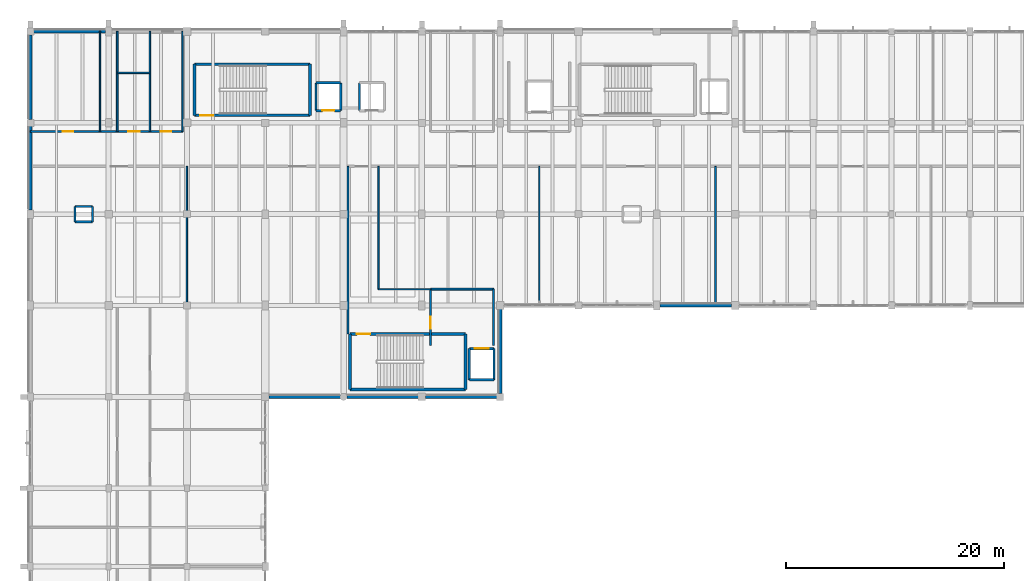
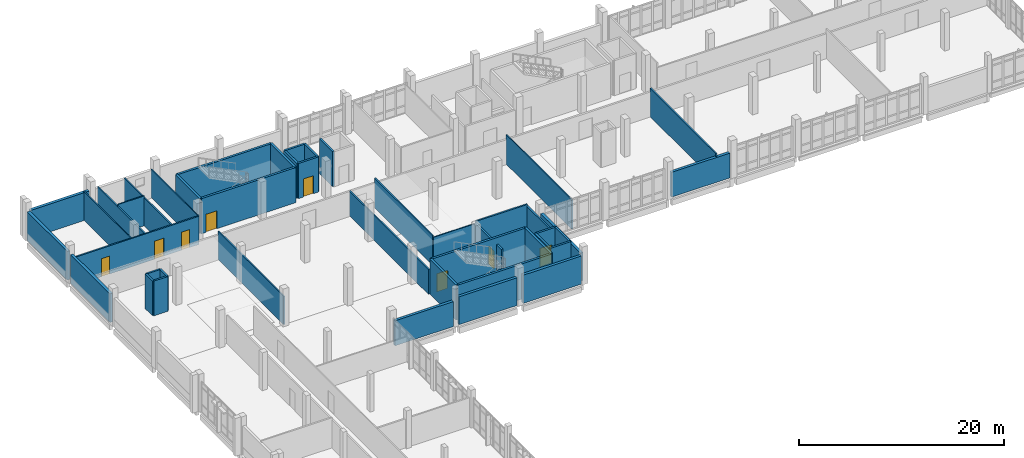
# One storey, part 48 of 57: 44 walls, 8 doors, 8 openings.
"""IFC4 building model written with IfcOpenShell, lengths in metres."""

from ifc_helpers import new_model, si_unit, direction, frame, frame_2d, origin, place, context, subcontext, project, spatial, rectangle, extrude, material, layer, layer_set, type_object, element, fill, save


model = new_model("IFC4")

# Units and contexts
model_context = context("Model", 3, precision=1e-05, world=origin(), true_north=direction((0.0, 1.0)))
body_context = subcontext(model_context, "Body", "Model", "MODEL_VIEW")
ifc_project = project(units=[si_unit("LENGTHUNIT", "METRE"), si_unit("AREAUNIT", "SQUARE_METRE"), si_unit("VOLUMEUNIT", "CUBIC_METRE"), si_unit("PLANEANGLEUNIT", "RADIAN"), si_unit("MASSUNIT", "GRAM", prefix="KILO")], contexts=[model_context])

# Site, building, storey
site_placement = place(None, origin())
site = spatial("IfcSite", under=ifc_project, at=site_placement, CompositionType="ELEMENT")
building_placement = place(site_placement, origin())
building = spatial("IfcBuilding", under=site, at=building_placement, Name="Kalluvel Institute of Natural Sciences", CompositionType="ELEMENT")
storey_placement = place(building_placement, frame((0.0, 0.0, 23.39990234375)))
storey = spatial("IfcBuildingStorey", under=building, at=storey_placement, Name="L05", CompositionType="ELEMENT", Elevation=23.39990234375)

# Wall, opening, door
ifc_material_1 = material(Name="Concrete M40", Category="concrete")
ifc_layer_1 = layer(ifc_material_1, 0.25)
ifc_layer_set_1 = layer_set([ifc_layer_1], Name="Concrete M40")
wall_type_1 = type_object("IfcWallType", Name="WL-CORE-250", PredefinedType="SHEAR", material=ifc_layer_set_1)
wall_1_placement = place(storey_placement, frame((29.0849609375, 120.284912109375, 0.0), z_axis=(0.0, 0.0, 1.0), x_axis=(1.0, 0.0, 0.0)))
wall_1 = element("IfcWall", 1, at=wall_1_placement, inside=storey, type_object=wall_type_1, Name="ST1 L05 core wall S", PredefinedType="SHEAR", context=body_context, shape_type="SweptSolid", body=[
    extrude(rectangle(XDim=10.630126953125, YDim=0.25, at=frame_2d((5.31494140625, 0.0))), origin(), (0.0, 0.0, 1.0), 4.175048828125),
])
opening_1_placement = place(wall_1_placement, frame((0.550048828125, 0.0, 0.0)))
opening_1 = element("IfcOpeningElement", 2, at=opening_1_placement, cuts=wall_1, Name="Opening DS-007", PredefinedType="OPENING", context=body_context, shape_type="SweptSolid", body=[
    extrude(rectangle(XDim=1.199951171875, YDim=2.14990234375, at=frame_2d((0.60009765625, 1.074951171875))), frame((0.0, 0.135009765625, 0.0), z_axis=(0.0, -1.0, 0.0), x_axis=(1.0, 0.0, 0.0)), (0.0, 0.0, 1.0), 0.27001953125),
])
ifc_material_2 = material(Name="Galvanized Fire-Rated Steel", Category="steel")
door_type_1 = type_object("IfcDoorType", Name="DR-ST-1200", OperationType="NOTDEFINED", PredefinedType="DOOR", material=ifc_material_2)
door_1_placement = place(opening_1_placement, origin())
door_1 = element("IfcDoor", 3, at=door_1_placement, inside=storey, type_object=door_type_1, Name="ST1 L05 protected stair door DS-007", OperationType="SINGLE_SWING_LEFT", OverallHeight=2.14990234375, OverallWidth=1.199951171875, PredefinedType="DOOR", context=body_context, shape_type="SweptSolid", body=[
    extrude(rectangle(XDim=1.199951171875, YDim=2.14990234375, at=frame_2d((0.60009765625, 1.074951171875))), frame((0.0, 0.02490234375, 0.0), z_axis=(0.0, -1.0, 0.0), x_axis=(1.0, 0.0, 0.0)), (0.0, 0.0, 1.0), 0.050048828125),
])
fill(opening_1, door_1)

# Walls
wall_2_placement = place(storey_placement, frame((39.715087890625, 120.284912109375, 0.0), z_axis=(0.0, 0.0, 1.0), x_axis=(0.0, 1.0, 0.0)))
element("IfcWall", 4, at=wall_2_placement, inside=storey, type_object=wall_type_1, Name="ST1 L05 core wall E", PredefinedType="SHEAR", context=body_context, shape_type="SweptSolid", body=[
    extrude(rectangle(XDim=4.7001953125, YDim=0.25, at=frame_2d((2.35009765625, 0.0))), origin(), (0.0, 0.0, 1.0), 4.175048828125),
])
wall_3_placement = place(storey_placement, frame((39.715087890625, 124.985107421875, 0.0), z_axis=(0.0, 0.0, 1.0), x_axis=(-1.0, 0.0, 0.0)))
element("IfcWall", 5, at=wall_3_placement, inside=storey, type_object=wall_type_1, Name="ST1 L05 core wall N", PredefinedType="SHEAR", context=body_context, shape_type="SweptSolid", body=[
    extrude(rectangle(XDim=10.630126953125, YDim=0.25, at=frame_2d((5.31494140625, 0.0))), origin(), (0.0, 0.0, 1.0), 4.175048828125),
])
wall_4_placement = place(storey_placement, frame((29.0849609375, 124.985107421875, 0.0), z_axis=(0.0, 0.0, 1.0), x_axis=(0.0, -1.0, 0.0)))
element("IfcWall", 6, at=wall_4_placement, inside=storey, type_object=wall_type_1, Name="ST1 L05 core wall W", PredefinedType="SHEAR", context=body_context, shape_type="SweptSolid", body=[
    extrude(rectangle(XDim=4.7001953125, YDim=0.25, at=frame_2d((2.35009765625, 0.0))), origin(), (0.0, 0.0, 1.0), 4.175048828125),
])
wall_5_placement = place(storey_placement, frame((43.385009765625, 95.0849609375, 0.0), z_axis=(0.0, 0.0, 1.0), x_axis=(1.0, 0.0, 0.0)))
element("IfcWall", 7, at=wall_5_placement, inside=storey, type_object=wall_type_1, Name="ST3 L05 core wall S", PredefinedType="SHEAR", context=body_context, shape_type="SweptSolid", body=[
    extrude(rectangle(XDim=10.6298828125, YDim=0.25, at=frame_2d((5.31494140625, 0.0))), origin(), (0.0, 0.0, 1.0), 4.175048828125),
])
wall_6_placement = place(storey_placement, frame((54.014892578125, 95.0849609375, 0.0), z_axis=(0.0, 0.0, 1.0), x_axis=(0.0, 1.0, 0.0)))
element("IfcWall", 8, at=wall_6_placement, inside=storey, type_object=wall_type_1, Name="ST3 L05 core wall E", PredefinedType="SHEAR", context=body_context, shape_type="SweptSolid", body=[
    extrude(rectangle(XDim=5.10009765625, YDim=0.25, at=frame_2d((2.550048828125, 0.0))), origin(), (0.0, 0.0, 1.0), 4.175048828125),
])

# Wall, opening, door
wall_7_placement = place(storey_placement, frame((54.014892578125, 100.18505859375, 0.0), z_axis=(0.0, 0.0, 1.0), x_axis=(-1.0, 0.0, 0.0)))
wall_7 = element("IfcWall", 9, at=wall_7_placement, inside=storey, type_object=wall_type_1, Name="ST3 L05 core wall N", PredefinedType="SHEAR", context=body_context, shape_type="SweptSolid", body=[
    extrude(rectangle(XDim=10.6298828125, YDim=0.25, at=frame_2d((5.31494140625, 0.0))), origin(), (0.0, 0.0, 1.0), 4.175048828125),
])
opening_2_placement = place(wall_7_placement, frame((8.780029296875, 0.0, 0.0)))
opening_2 = element("IfcOpeningElement", 10, at=opening_2_placement, cuts=wall_7, Name="Opening DS-029", PredefinedType="OPENING", context=body_context, shape_type="SweptSolid", body=[
    extrude(rectangle(XDim=1.199951171875, YDim=2.14990234375, at=frame_2d((0.60009765625, 1.074951171875))), frame((0.0, 0.135009765625, 0.0), z_axis=(0.0, -1.0, 0.0), x_axis=(1.0, 0.0, 0.0)), (0.0, 0.0, 1.0), 0.27001953125),
])
door_2_placement = place(opening_2_placement, origin())
door_2 = element("IfcDoor", 11, at=door_2_placement, inside=storey, type_object=door_type_1, Name="ST3 L05 protected stair door DS-029", OperationType="SINGLE_SWING_LEFT", OverallHeight=2.14990234375, OverallWidth=1.199951171875, PredefinedType="DOOR", context=body_context, shape_type="SweptSolid", body=[
    extrude(rectangle(XDim=1.199951171875, YDim=2.14990234375, at=frame_2d((0.60009765625, 1.074951171875))), frame((0.0, 0.02490234375, 0.0), z_axis=(0.0, -1.0, 0.0), x_axis=(1.0, 0.0, 0.0)), (0.0, 0.0, 1.0), 0.050048828125),
])
fill(opening_2, door_2)

# Walls
wall_8_placement = place(storey_placement, frame((43.385009765625, 100.18505859375, 0.0), z_axis=(0.0, 0.0, 1.0), x_axis=(0.0, -1.0, 0.0)))
element("IfcWall", 12, at=wall_8_placement, inside=storey, type_object=wall_type_1, Name="ST3 L05 core wall W", PredefinedType="SHEAR", context=body_context, shape_type="SweptSolid", body=[
    extrude(rectangle(XDim=5.10009765625, YDim=0.25, at=frame_2d((2.550048828125, 0.0))), origin(), (0.0, 0.0, 1.0), 4.175048828125),
])
ifc_material_3 = material(Name="Sadarahalli Grey Granite Ashlar Concrete M40", Category="masonry")
ifc_layer_2 = layer(ifc_material_3, 0.300048828125)
ifc_layer_set_2 = layer_set([ifc_layer_2], Name="Sadarahalli Grey Granite Ashlar Concrete M40")
wall_type_2 = type_object("IfcWallType", Name="WL-EXT-300", PredefinedType="SOLIDWALL", material=ifc_layer_set_2)
wall_9_placement = place(storey_placement, frame((71.8798828125, 102.800048828125, 0.0), z_axis=(0.0, 0.0, 1.0), x_axis=(1.0, 0.0, 0.0)))
element("IfcWall", 13, at=wall_9_placement, inside=storey, type_object=wall_type_2, Name="L05 Sadarahalli granite exterior wall WL-EXT-L05-0069", PredefinedType="SOLIDWALL", context=body_context, shape_type="SweptSolid", body=[
    extrude(rectangle(XDim=6.590087890625, YDim=0.300048828125, at=frame_2d((3.294921875, 0.0))), origin(), (0.0, 0.0, 1.0), 2.955078125),
])
wall_10_placement = place(storey_placement, frame((35.929931640625, 94.39990234375, 0.0), z_axis=(0.0, 0.0, 1.0), x_axis=(1.0, 0.0, 0.0)))
element("IfcWall", 14, at=wall_10_placement, inside=storey, type_object=wall_type_2, Name="L05 Sadarahalli granite exterior wall WL-EXT-L05-0117", PredefinedType="SOLIDWALL", context=body_context, shape_type="SweptSolid", body=[
    extrude(rectangle(XDim=6.565185546875, YDim=0.300048828125, at=frame_2d((3.28271484375, 0.0))), origin(), (0.0, 0.0, 1.0), 2.97509765625),
])
wall_11_placement = place(storey_placement, frame((43.10498046875, 94.39990234375, 0.0), z_axis=(0.0, 0.0, 1.0), x_axis=(1.0, 0.0, 0.0)))
element("IfcWall", 15, at=wall_11_placement, inside=storey, type_object=wall_type_2, Name="L05 Sadarahalli granite exterior wall WL-EXT-L05-0118", PredefinedType="SOLIDWALL", context=body_context, shape_type="SweptSolid", body=[
    extrude(rectangle(XDim=6.56494140625, YDim=0.300048828125, at=frame_2d((3.282470703125, 0.0))), origin(), (0.0, 0.0, 1.0), 3.30517578125),
])
wall_12_placement = place(storey_placement, frame((50.330078125, 94.39990234375, 0.0), z_axis=(0.0, 0.0, 1.0), x_axis=(1.0, 0.0, 0.0)))
element("IfcWall", 16, at=wall_12_placement, inside=storey, type_object=wall_type_2, Name="L05 Sadarahalli granite exterior wall WL-EXT-L05-0119", PredefinedType="SOLIDWALL", context=body_context, shape_type="SweptSolid", body=[
    extrude(rectangle(XDim=6.56494140625, YDim=0.300048828125, at=frame_2d((3.282470703125, 0.0))), origin(), (0.0, 0.0, 1.0), 3.35498046875),
])
wall_13_placement = place(storey_placement, frame((57.199951171875, 94.705078125, 0.0), z_axis=(0.0, 0.0, 1.0), x_axis=(0.0, 1.0, 0.0)))
element("IfcWall", 17, at=wall_13_placement, inside=storey, type_object=wall_type_2, Name="L05 Sadarahalli granite exterior wall WL-EXT-L05-0120", PredefinedType="SOLIDWALL", context=body_context, shape_type="SweptSolid", body=[
    extrude(rectangle(XDim=7.764892578125, YDim=0.300048828125, at=frame_2d((3.88232421875, 0.0))), origin(), (0.0, 0.0, 1.0), 3.35498046875),
])
ifc_layer_3 = layer(ifc_material_3, 0.320068359375)
ifc_layer_set_3 = layer_set([ifc_layer_3], Name="Sadarahalli Grey Granite Ashlar Concrete M40")
wall_type_3 = type_object("IfcWallType", Name="WL-EXT-320", PredefinedType="SOLIDWALL", material=ifc_layer_set_3)
wall_14_placement = place(storey_placement, frame((14.304931640625, 128.0, 0.0), z_axis=(0.0, 0.0, 1.0), x_axis=(1.0, 0.0, 0.0)))
element("IfcWall", 18, at=wall_14_placement, inside=storey, type_object=wall_type_3, Name="L05 Sadarahalli granite exterior wall WL-EXT-L05-0062", PredefinedType="SOLIDWALL", context=body_context, shape_type="SweptSolid", body=[
    extrude(rectangle(XDim=6.614990234375, YDim=0.320068359375, at=frame_2d((3.3076171875, 0.0))), origin(), (0.0, 0.0, 1.0), 3.30517578125),
])
wall_15_placement = place(storey_placement, frame((14.0, 111.580078125, 0.0), z_axis=(0.0, 0.0, 1.0), x_axis=(0.0, 1.0, 0.0)))
element("IfcWall", 19, at=wall_15_placement, inside=storey, type_object=wall_type_3, Name="L05 Sadarahalli granite exterior wall WL-EXT-L05-0072", PredefinedType="SOLIDWALL", context=body_context, shape_type="SweptSolid", body=[
    extrude(rectangle(XDim=7.71484375, YDim=0.320068359375, at=frame_2d((3.857421875, 0.0))), origin(), (0.0, 0.0, 1.0), 3.405029296875),
])
wall_16_placement = place(storey_placement, frame((14.0, 119.905029296875, 0.0), z_axis=(0.0, 0.0, 1.0), x_axis=(0.0, 1.0, 0.0)))
element("IfcWall", 20, at=wall_16_placement, inside=storey, type_object=wall_type_3, Name="L05 Sadarahalli granite exterior wall WL-EXT-L05-0073", PredefinedType="SOLIDWALL", context=body_context, shape_type="SweptSolid", body=[
    extrude(rectangle(XDim=7.7900390625, YDim=0.320068359375, at=frame_2d((3.89501953125, 0.0))), origin(), (0.0, 0.0, 1.0), 3.405029296875),
])
ifc_material_4 = material(Name="Autoclaved Aerated Concrete Masonry Block", Category="masonry")
ifc_layer_4 = layer(ifc_material_4, 0.179931640625)
ifc_layer_set_4 = layer_set([ifc_layer_4], Name="Autoclaved Aerated Concrete Masonry Block")
wall_type_4 = type_object("IfcWallType", Name="WL-FIRE-180", PredefinedType="SOLIDWALL", material=ifc_layer_set_4)
wall_17_placement = place(storey_placement, frame((50.800048828125, 104.300048828125, 0.0), z_axis=(0.0, 0.0, 1.0), x_axis=(1.0, 0.0, 0.0)))
element("IfcWall", 21, at=wall_17_placement, inside=storey, type_object=wall_type_4, Name="L05 interior fire wall WL-INT-L05-0245", PredefinedType="SOLIDWALL", context=body_context, shape_type="SweptSolid", body=[
    extrude(rectangle(XDim=5.800048828125, YDim=0.179931640625, at=frame_2d((2.89990234375, 0.0))), origin(), (0.0, 0.0, 1.0), 3.56005859375),
])

# Wall, opening, door
ifc_layer_5 = layer(ifc_material_4, 0.199951171875)
ifc_layer_set_5 = layer_set([ifc_layer_5], Name="Autoclaved Aerated Concrete Masonry Block")
wall_type_5 = type_object("IfcWallType", Name="WL-FIRE-200", PredefinedType="SOLIDWALL", material=ifc_layer_set_5)
wall_18_placement = place(storey_placement, frame((50.800048828125, 99.10009765625, 0.0), z_axis=(0.0, 0.0, 1.0), x_axis=(0.0, 1.0, 0.0)))
wall_18 = element("IfcWall", 22, at=wall_18_placement, inside=storey, type_object=wall_type_5, Name="L05 interior fire wall WL-INT-L05-0243", PredefinedType="SOLIDWALL", context=body_context, shape_type="SweptSolid", body=[
    extrude(rectangle(XDim=5.199951171875, YDim=0.199951171875, at=frame_2d((2.60009765625, 0.0))), origin(), (0.0, 0.0, 1.0), 3.360107421875),
])
opening_3_placement = place(wall_18_placement, frame((1.550048828125, 0.0, 0.0)))
opening_3 = element("IfcOpeningElement", 23, at=opening_3_placement, cuts=wall_18, Name="Opening D-193", PredefinedType="OPENING", context=body_context, shape_type="SweptSolid", body=[
    extrude(rectangle(XDim=1.10009765625, YDim=2.14990234375, at=frame_2d((0.550048828125, 1.074951171875))), frame((0.0, 0.10986328125, 0.0), z_axis=(0.0, -1.0, 0.0), x_axis=(1.0, 0.0, 0.0)), (0.0, 0.0, 1.0), 0.219970703125),
])
door_type_2 = type_object("IfcDoorType", Name="DR-FD60-1100", OperationType="NOTDEFINED", PredefinedType="DOOR", material=ifc_material_2)
door_3_placement = place(opening_3_placement, origin())
door_3 = element("IfcDoor", 24, at=door_3_placement, inside=storey, type_object=door_type_2, Name="L05 ST3-FF2 link door D-193", OperationType="SINGLE_SWING_LEFT", OverallHeight=2.14990234375, OverallWidth=1.10009765625, PredefinedType="DOOR", context=body_context, shape_type="SweptSolid", body=[
    extrude(rectangle(XDim=1.10009765625, YDim=2.14990234375, at=frame_2d((0.550048828125, 1.074951171875))), frame((0.0, 0.02490234375, 0.0), z_axis=(0.0, -1.0, 0.0), x_axis=(1.0, 0.0, 0.0)), (0.0, 0.0, 1.0), 0.050048828125),
])
fill(opening_3, door_3)

# Walls
wall_19_placement = place(storey_placement, frame((56.60009765625, 99.10009765625, 0.0), z_axis=(0.0, 0.0, 1.0), x_axis=(0.0, 1.0, 0.0)))
element("IfcWall", 25, at=wall_19_placement, inside=storey, type_object=wall_type_5, Name="L05 interior fire wall WL-INT-L05-0244", PredefinedType="SOLIDWALL", context=body_context, shape_type="SweptSolid", body=[
    extrude(rectangle(XDim=5.199951171875, YDim=0.199951171875, at=frame_2d((2.60009765625, 0.0))), origin(), (0.0, 0.0, 1.0), 3.360107421875),
])
ifc_material_5 = material(Name="Acoustic Gypsum Twin-Stud Partition", Category="gypsum")
ifc_layer_6 = layer(ifc_material_5, 0.1201171875)
ifc_layer_set_6 = layer_set([ifc_layer_6], Name="Acoustic Gypsum Twin-Stud Partition")
wall_type_6 = type_object("IfcWallType", Name="WL-PART-120", PredefinedType="PARTITIONING", material=ifc_layer_set_6)
wall_20_placement = place(storey_placement, frame((46.0, 104.300048828125, 0.0), z_axis=(0.0, 0.0, 1.0), x_axis=(1.0, 0.0, 0.0)))
element("IfcWall", 26, at=wall_20_placement, inside=storey, type_object=wall_type_6, Name="L05 interior partition wall WL-INT-L05-0248", PredefinedType="PARTITIONING", context=body_context, shape_type="SweptSolid", body=[
    extrude(rectangle(XDim=4.800048828125, YDim=0.1201171875, at=frame_2d((2.39990234375, 0.0))), origin(), (0.0, 0.0, 1.0), 3.31005859375),
])
wall_21_placement = place(storey_placement, frame((20.39990234375, 118.800048828125, 0.0), z_axis=(0.0, 0.0, 1.0), x_axis=(0.0, 1.0, 0.0)))
element("IfcWall", 27, at=wall_21_placement, inside=storey, type_object=wall_type_6, Name="L05 interior partition wall WL-INT-L05-0251", PredefinedType="PARTITIONING", context=body_context, shape_type="SweptSolid", body=[
    extrude(rectangle(XDim=9.199951171875, YDim=0.1201171875, at=frame_2d((4.60009765625, 0.0))), origin(), (0.0, 0.0, 1.0), 3.41015625),
])
wall_22_placement = place(storey_placement, frame((28.0, 118.800048828125, 0.0), z_axis=(0.0, 0.0, 1.0), x_axis=(0.0, 1.0, 0.0)))
element("IfcWall", 28, at=wall_22_placement, inside=storey, type_object=wall_type_6, Name="L05 interior partition wall WL-INT-L05-0254", PredefinedType="PARTITIONING", context=body_context, shape_type="SweptSolid", body=[
    extrude(rectangle(XDim=9.199951171875, YDim=0.1201171875, at=frame_2d((4.60009765625, 0.0))), origin(), (0.0, 0.0, 1.0), 3.360107421875),
])
wall_23_placement = place(storey_placement, frame((60.800048828125, 102.800048828125, 0.0), z_axis=(0.0, 0.0, 1.0), x_axis=(0.0, 1.0, 0.0)))
element("IfcWall", 29, at=wall_23_placement, inside=storey, type_object=wall_type_6, Name="L05 interior partition wall WL-INT-L05-0263", PredefinedType="PARTITIONING", context=body_context, shape_type="SweptSolid", body=[
    extrude(rectangle(XDim=12.800048828125, YDim=0.1201171875, at=frame_2d((6.39990234375, 0.0))), origin(), (0.0, 0.0, 1.0), 3.510009765625),
])
ifc_layer_7 = layer(ifc_material_5, 0.139892578125)
ifc_layer_set_7 = layer_set([ifc_layer_7], Name="Acoustic Gypsum Twin-Stud Partition")
wall_type_7 = type_object("IfcWallType", Name="WL-PART-140", PredefinedType="PARTITIONING", material=ifc_layer_set_7)
wall_24_placement = place(storey_placement, frame((46.0, 104.300048828125, 0.0), z_axis=(0.0, 0.0, 1.0), x_axis=(0.0, 1.0, 0.0)))
element("IfcWall", 30, at=wall_24_placement, inside=storey, type_object=wall_type_7, Name="L05 interior partition wall WL-INT-L05-0247", PredefinedType="PARTITIONING", context=body_context, shape_type="SweptSolid", body=[
    extrude(rectangle(XDim=11.300048828125, YDim=0.139892578125, at=frame_2d((5.64990234375, 0.0))), origin(), (0.0, 0.0, 1.0), 3.52001953125),
])
wall_25_placement = place(storey_placement, frame((22.0, 124.199951171875, 0.0), z_axis=(0.0, 0.0, 1.0), x_axis=(1.0, 0.0, 0.0)))
element("IfcWall", 31, at=wall_25_placement, inside=storey, type_object=wall_type_7, Name="L05 interior partition wall WL-INT-L05-0250", PredefinedType="PARTITIONING", context=body_context, shape_type="SweptSolid", body=[
    extrude(rectangle(XDim=3.0, YDim=0.139892578125, at=frame_2d((1.5, 0.0))), origin(), (0.0, 0.0, 1.0), 3.56005859375),
])
wall_26_placement = place(storey_placement, frame((25.0, 118.800048828125, 0.0), z_axis=(0.0, 0.0, 1.0), x_axis=(0.0, 1.0, 0.0)))
element("IfcWall", 32, at=wall_26_placement, inside=storey, type_object=wall_type_7, Name="L05 interior partition wall WL-INT-L05-0253", PredefinedType="PARTITIONING", context=body_context, shape_type="SweptSolid", body=[
    extrude(rectangle(XDim=9.199951171875, YDim=0.139892578125, at=frame_2d((4.60009765625, 0.0))), origin(), (0.0, 0.0, 1.0), 3.360107421875),
])
wall_27_placement = place(storey_placement, frame((28.39990234375, 102.800048828125, 0.0), z_axis=(0.0, 0.0, 1.0), x_axis=(0.0, 1.0, 0.0)))
element("IfcWall", 33, at=wall_27_placement, inside=storey, type_object=wall_type_7, Name="L05 interior partition wall WL-INT-L05-0262", PredefinedType="PARTITIONING", context=body_context, shape_type="SweptSolid", body=[
    extrude(rectangle(XDim=12.800048828125, YDim=0.139892578125, at=frame_2d((6.39990234375, 0.0))), origin(), (0.0, 0.0, 1.0), 3.360107421875),
])
ifc_layer_8 = layer(ifc_material_4, 0.159912109375)
ifc_layer_set_8 = layer_set([ifc_layer_8], Name="Autoclaved Aerated Concrete Masonry Block")
wall_type_8 = type_object("IfcWallType", Name="WL-PART-160", PredefinedType="PARTITIONING", material=ifc_layer_set_8)
wall_28_placement = place(storey_placement, frame((43.199951171875, 100.199951171875, 0.0), z_axis=(0.0, 0.0, 1.0), x_axis=(0.0, 1.0, 0.0)))
element("IfcWall", 34, at=wall_28_placement, inside=storey, type_object=wall_type_8, Name="L05 interior partition wall WL-INT-L05-0246", PredefinedType="PARTITIONING", context=body_context, shape_type="SweptSolid", body=[
    extrude(rectangle(XDim=15.400146484375, YDim=0.159912109375, at=frame_2d((7.7001953125, 0.0))), origin(), (0.0, 0.0, 1.0), 2.960205078125),
])

# Wall, openings, doors
wall_29_placement = place(storey_placement, frame((14.0, 118.800048828125, 0.0), z_axis=(0.0, 0.0, 1.0), x_axis=(1.0, 0.0, 0.0)))
wall_29 = element("IfcWall", 35, at=wall_29_placement, inside=storey, type_object=wall_type_8, Name="L05 interior partition wall WL-INT-L05-0249", PredefinedType="PARTITIONING", context=body_context, shape_type="SweptSolid", body=[
    extrude(rectangle(XDim=14.0, YDim=0.159912109375, at=frame_2d((7.0, 0.0))), origin(), (0.0, 0.0, 1.0), 3.360107421875),
])
opening_4_placement = place(wall_29_placement, frame((3.0, 0.0, 0.0)))
opening_4 = element("IfcOpeningElement", 36, at=opening_4_placement, cuts=wall_29, Name="Opening D-194", PredefinedType="OPENING", context=body_context, shape_type="SweptSolid", body=[
    extrude(rectangle(XDim=0.949951171875, YDim=2.14990234375, at=frame_2d((0.47509765625, 1.074951171875))), frame((0.0, 0.08984375, 0.0), z_axis=(0.0, -1.0, 0.0), x_axis=(1.0, 0.0, 0.0)), (0.0, 0.0, 1.0), 0.179931640625),
])
opening_5_placement = place(wall_29_placement, frame((9.0, 0.0, 0.0)))
opening_5 = element("IfcOpeningElement", 37, at=opening_5_placement, cuts=wall_29, Name="Opening D-195", PredefinedType="OPENING", context=body_context, shape_type="SweptSolid", body=[
    extrude(rectangle(XDim=1.050048828125, YDim=2.14990234375, at=frame_2d((0.52490234375, 1.074951171875))), frame((0.0, 0.08984375, 0.0), z_axis=(0.0, -1.0, 0.0), x_axis=(1.0, 0.0, 0.0)), (0.0, 0.0, 1.0), 0.179931640625),
])
opening_6_placement = place(wall_29_placement, frame((12.0, 0.0, 0.0)))
opening_6 = element("IfcOpeningElement", 38, at=opening_6_placement, cuts=wall_29, Name="Opening D-196", PredefinedType="OPENING", context=body_context, shape_type="SweptSolid", body=[
    extrude(rectangle(XDim=0.949951171875, YDim=2.14990234375, at=frame_2d((0.47509765625, 1.074951171875))), frame((0.0, 0.08984375, 0.0), z_axis=(0.0, -1.0, 0.0), x_axis=(1.0, 0.0, 0.0)), (0.0, 0.0, 1.0), 0.179931640625),
])
ifc_material_6 = material(Name="Engineered Hardwood Acoustic Leaf", Category="wood")
door_type_3 = type_object("IfcDoorType", Name="DR-ACC-1050", OperationType="NOTDEFINED", PredefinedType="DOOR", material=ifc_material_6)
door_4_placement = place(opening_5_placement, origin())
door_4 = element("IfcDoor", 39, at=door_4_placement, inside=storey, type_object=door_type_3, Name="L05 Accessible WC door D-195", OperationType="SINGLE_SWING_RIGHT", OverallHeight=2.14990234375, OverallWidth=1.050048828125, PredefinedType="DOOR", context=body_context, shape_type="SweptSolid", body=[
    extrude(rectangle(XDim=1.050048828125, YDim=2.14990234375, at=frame_2d((0.52490234375, 1.074951171875))), frame((0.0, 0.02490234375, 0.0), z_axis=(0.0, -1.0, 0.0), x_axis=(1.0, 0.0, 0.0)), (0.0, 0.0, 1.0), 0.050048828125),
])
fill(opening_5, door_4)
door_type_4 = type_object("IfcDoorType", Name="DR-INT-950", OperationType="NOTDEFINED", PredefinedType="DOOR", material=ifc_material_6)
door_5_placement = place(opening_4_placement, origin())
door_5 = element("IfcDoor", 40, at=door_5_placement, inside=storey, type_object=door_type_4, Name="L05 Male WC door D-194", OperationType="SINGLE_SWING_LEFT", OverallHeight=2.14990234375, OverallWidth=0.949951171875, PredefinedType="DOOR", context=body_context, shape_type="SweptSolid", body=[
    extrude(rectangle(XDim=0.949951171875, YDim=2.14990234375, at=frame_2d((0.47509765625, 1.074951171875))), frame((0.0, 0.02490234375, 0.0), z_axis=(0.0, -1.0, 0.0), x_axis=(1.0, 0.0, 0.0)), (0.0, 0.0, 1.0), 0.050048828125),
])
fill(opening_4, door_5)
door_6_placement = place(opening_6_placement, origin())
door_6 = element("IfcDoor", 41, at=door_6_placement, inside=storey, type_object=door_type_4, Name="L05 Female WC door D-196", OperationType="SINGLE_SWING_LEFT", OverallHeight=2.14990234375, OverallWidth=0.949951171875, PredefinedType="DOOR", context=body_context, shape_type="SweptSolid", body=[
    extrude(rectangle(XDim=0.949951171875, YDim=2.14990234375, at=frame_2d((0.47509765625, 1.074951171875))), frame((0.0, 0.02490234375, 0.0), z_axis=(0.0, -1.0, 0.0), x_axis=(1.0, 0.0, 0.0)), (0.0, 0.0, 1.0), 0.050048828125),
])
fill(opening_6, door_6)

# Walls
wall_30_placement = place(storey_placement, frame((22.0, 118.800048828125, 0.0), z_axis=(0.0, 0.0, 1.0), x_axis=(0.0, 1.0, 0.0)))
element("IfcWall", 42, at=wall_30_placement, inside=storey, type_object=wall_type_8, Name="L05 interior partition wall WL-INT-L05-0252", PredefinedType="PARTITIONING", context=body_context, shape_type="SweptSolid", body=[
    extrude(rectangle(XDim=9.199951171875, YDim=0.159912109375, at=frame_2d((4.60009765625, 0.0))), origin(), (0.0, 0.0, 1.0), 3.360107421875),
])
wall_31_placement = place(storey_placement, frame((77.0, 102.800048828125, 0.0), z_axis=(0.0, 0.0, 1.0), x_axis=(0.0, 1.0, 0.0)))
element("IfcWall", 43, at=wall_31_placement, inside=storey, type_object=wall_type_8, Name="L05 interior partition wall WL-INT-L05-0264", PredefinedType="PARTITIONING", context=body_context, shape_type="SweptSolid", body=[
    extrude(rectangle(XDim=12.800048828125, YDim=0.159912109375, at=frame_2d((6.39990234375, 0.0))), origin(), (0.0, 0.0, 1.0), 3.360107421875),
])
ifc_layer_9 = layer(ifc_material_1, 0.199951171875)
ifc_layer_set_9 = layer_set([ifc_layer_9], Name="Concrete M40")
wall_type_9 = type_object("IfcWallType", Name="WL-RISER-200", PredefinedType="SHEAR", material=ifc_layer_set_9)
wall_32_placement = place(storey_placement, frame((18.10009765625, 110.5, 0.0), z_axis=(0.0, 0.0, 1.0), x_axis=(1.0, 0.0, 0.0)))
element("IfcWall", 44, at=wall_32_placement, inside=storey, type_object=wall_type_9, Name="RS-WET-W L05 service riser enclosure S", PredefinedType="SHEAR", context=body_context, shape_type="SweptSolid", body=[
    extrude(rectangle(XDim=1.599853515625, YDim=0.199951171875, at=frame_2d((0.7998046875, 0.0))), origin(), (0.0, 0.0, 1.0), 4.14013671875),
])
wall_33_placement = place(storey_placement, frame((19.699951171875, 110.5, 0.0), z_axis=(0.0, 0.0, 1.0), x_axis=(0.0, 1.0, 0.0)))
element("IfcWall", 45, at=wall_33_placement, inside=storey, type_object=wall_type_9, Name="RS-WET-W L05 service riser enclosure E", PredefinedType="SHEAR", context=body_context, shape_type="SweptSolid", body=[
    extrude(rectangle(XDim=1.39990234375, YDim=0.199951171875, at=frame_2d((0.699951171875, 0.0))), origin(), (0.0, 0.0, 1.0), 4.14013671875),
])
wall_34_placement = place(storey_placement, frame((19.699951171875, 111.89990234375, 0.0), z_axis=(0.0, 0.0, 1.0), x_axis=(-1.0, 0.0, 0.0)))
element("IfcWall", 46, at=wall_34_placement, inside=storey, type_object=wall_type_9, Name="RS-WET-W L05 service riser enclosure N", PredefinedType="SHEAR", context=body_context, shape_type="SweptSolid", body=[
    extrude(rectangle(XDim=1.599853515625, YDim=0.199951171875, at=frame_2d((0.7998046875, 0.0))), origin(), (0.0, 0.0, 1.0), 4.14013671875),
])
wall_35_placement = place(storey_placement, frame((18.10009765625, 111.89990234375, 0.0), z_axis=(0.0, 0.0, 1.0), x_axis=(0.0, -1.0, 0.0)))
element("IfcWall", 47, at=wall_35_placement, inside=storey, type_object=wall_type_9, Name="RS-WET-W L05 service riser enclosure W", PredefinedType="SHEAR", context=body_context, shape_type="SweptSolid", body=[
    extrude(rectangle(XDim=1.39990234375, YDim=0.199951171875, at=frame_2d((0.699951171875, 0.0))), origin(), (0.0, 0.0, 1.0), 4.14013671875),
])

# Wall, opening, door
ifc_layer_10 = layer(ifc_material_1, 0.219970703125)
ifc_layer_set_10 = layer_set([ifc_layer_10], Name="Concrete M40")
wall_type_10 = type_object("IfcWallType", Name="WL-SHAFT-220", PredefinedType="SHEAR", material=ifc_layer_set_10)
wall_36_placement = place(storey_placement, frame((40.27001953125, 120.719970703125, 0.0), z_axis=(0.0, 0.0, 1.0), x_axis=(1.0, 0.0, 0.0)))
wall_36 = element("IfcWall", 48, at=wall_36_placement, inside=storey, type_object=wall_type_10, Name="LF1 L05 lift shaft wall", PredefinedType="SHEAR", context=body_context, shape_type="SweptSolid", body=[
    extrude(rectangle(XDim=2.260009765625, YDim=0.219970703125, at=frame_2d((1.1298828125, 0.0))), origin(), (0.0, 0.0, 1.0), 4.175048828125),
])
opening_7_placement = place(wall_36_placement, frame((0.580078125, 0.0, 0.0)))
opening_7 = element("IfcOpeningElement", 49, at=opening_7_placement, cuts=wall_36, Name="Opening LD-007", PredefinedType="OPENING", context=body_context, shape_type="SweptSolid", body=[
    extrude(rectangle(XDim=1.10009765625, YDim=2.14990234375, at=frame_2d((0.550048828125, 1.074951171875))), frame((0.0, 0.119873046875, 0.0), z_axis=(0.0, -1.0, 0.0), x_axis=(1.0, 0.0, 0.0)), (0.0, 0.0, 1.0), 0.239990234375),
])
door_type_5 = type_object("IfcDoorType", Name="DR-LD-1100", OperationType="NOTDEFINED", PredefinedType="DOOR", material=ifc_material_2)
door_7_placement = place(opening_7_placement, origin())
door_7 = element("IfcDoor", 50, at=door_7_placement, inside=storey, type_object=door_type_5, Name="LF1 L05 sliding lift landing door LD-007", OperationType="DOUBLE_DOOR_SLIDING", OverallHeight=2.14990234375, OverallWidth=1.10009765625, PredefinedType="DOOR", context=body_context, shape_type="SweptSolid", body=[
    extrude(rectangle(XDim=1.10009765625, YDim=2.14990234375, at=frame_2d((0.550048828125, 1.074951171875))), frame((0.0, 0.02490234375, 0.0), z_axis=(0.0, -1.0, 0.0), x_axis=(1.0, 0.0, 0.0)), (0.0, 0.0, 1.0), 0.050048828125),
])
fill(opening_7, door_7)

# Walls
wall_37_placement = place(storey_placement, frame((42.530029296875, 120.719970703125, 0.0), z_axis=(0.0, 0.0, 1.0), x_axis=(0.0, 1.0, 0.0)))
element("IfcWall", 51, at=wall_37_placement, inside=storey, type_object=wall_type_10, Name="LF1 L05 lift shaft wall", PredefinedType="SHEAR", context=body_context, shape_type="SweptSolid", body=[
    extrude(rectangle(XDim=2.56005859375, YDim=0.219970703125, at=frame_2d((1.280029296875, 0.0))), origin(), (0.0, 0.0, 1.0), 4.175048828125),
])
wall_38_placement = place(storey_placement, frame((42.530029296875, 123.280029296875, 0.0), z_axis=(0.0, 0.0, 1.0), x_axis=(-1.0, 0.0, 0.0)))
element("IfcWall", 52, at=wall_38_placement, inside=storey, type_object=wall_type_10, Name="LF1 L05 lift shaft wall", PredefinedType="SHEAR", context=body_context, shape_type="SweptSolid", body=[
    extrude(rectangle(XDim=2.260009765625, YDim=0.219970703125, at=frame_2d((1.1298828125, 0.0))), origin(), (0.0, 0.0, 1.0), 4.175048828125),
])
for number, where, z_axis, x_axis, name in (
    (53, (40.27001953125, 123.280029296875, 0.0), (0.0, 0.0, 1.0), (0.0, -1.0, 0.0), "LF1 L05 lift shaft wall"),
    (54, (44.27001953125, 123.280029296875, 0.0), (0.0, 0.0, 1.0), (0.0, -1.0, 0.0), "LF2 L05 lift shaft wall"),
):
    element("IfcWall", number, at=place(storey_placement, frame(where, z_axis=z_axis, x_axis=x_axis)), inside=storey, type_object=wall_type_10, Name=name, PredefinedType="SHEAR", context=body_context, shape_type="SweptSolid", body=[
        extrude(rectangle(XDim=2.56005859375, YDim=0.219970703125, at=frame_2d((1.280029296875, 0.0))), origin(), (0.0, 0.0, 1.0), 4.175048828125),
    ])
wall_39_placement = place(storey_placement, frame((54.3701171875, 95.969970703125, 0.0), z_axis=(0.0, 0.0, 1.0), x_axis=(1.0, 0.0, 0.0)))
element("IfcWall", 55, at=wall_39_placement, inside=storey, type_object=wall_type_10, Name="LF8 L05 lift shaft wall", PredefinedType="SHEAR", context=body_context, shape_type="SweptSolid", body=[
    extrude(rectangle(XDim=2.259765625, YDim=0.219970703125, at=frame_2d((1.1298828125, 0.0))), origin(), (0.0, 0.0, 1.0), 4.175048828125),
])
wall_40_placement = place(storey_placement, frame((56.6298828125, 95.969970703125, 0.0), z_axis=(0.0, 0.0, 1.0), x_axis=(0.0, 1.0, 0.0)))
element("IfcWall", 56, at=wall_40_placement, inside=storey, type_object=wall_type_10, Name="LF8 L05 lift shaft wall", PredefinedType="SHEAR", context=body_context, shape_type="SweptSolid", body=[
    extrude(rectangle(XDim=2.860107421875, YDim=0.219970703125, at=frame_2d((1.43017578125, 0.0))), origin(), (0.0, 0.0, 1.0), 4.175048828125),
])

# Wall, opening, door
wall_41_placement = place(storey_placement, frame((56.6298828125, 98.830078125, 0.0), z_axis=(0.0, 0.0, 1.0), x_axis=(-1.0, 0.0, 0.0)))
wall_41 = element("IfcWall", 57, at=wall_41_placement, inside=storey, type_object=wall_type_10, Name="LF8 L05 lift shaft wall", PredefinedType="SHEAR", context=body_context, shape_type="SweptSolid", body=[
    extrude(rectangle(XDim=2.259765625, YDim=0.219970703125, at=frame_2d((1.1298828125, 0.0))), origin(), (0.0, 0.0, 1.0), 4.175048828125),
])
opening_8_placement = place(wall_41_placement, frame((0.47998046875, 0.0, 0.0)))
opening_8 = element("IfcOpeningElement", 58, at=opening_8_placement, cuts=wall_41, Name="Opening LD-065", PredefinedType="OPENING", context=body_context, shape_type="SweptSolid", body=[
    extrude(rectangle(XDim=1.300048828125, YDim=2.199951171875, at=frame_2d((0.64990234375, 1.10009765625))), frame((0.0, 0.119873046875, 0.0), z_axis=(0.0, -1.0, 0.0), x_axis=(1.0, 0.0, 0.0)), (0.0, 0.0, 1.0), 0.239990234375),
])
door_type_6 = type_object("IfcDoorType", Name="DR-LD-1300", OperationType="NOTDEFINED", PredefinedType="DOOR", material=ifc_material_2)
door_8_placement = place(opening_8_placement, origin())
door_8 = element("IfcDoor", 59, at=door_8_placement, inside=storey, type_object=door_type_6, Name="LF8 L05 sliding lift landing door LD-065", OperationType="DOUBLE_DOOR_SLIDING", OverallHeight=2.199951171875, OverallWidth=1.300048828125, PredefinedType="DOOR", context=body_context, shape_type="SweptSolid", body=[
    extrude(rectangle(XDim=1.300048828125, YDim=2.199951171875, at=frame_2d((0.64990234375, 1.10009765625))), frame((0.0, 0.02490234375, 0.0), z_axis=(0.0, -1.0, 0.0), x_axis=(1.0, 0.0, 0.0)), (0.0, 0.0, 1.0), 0.050048828125),
])
fill(opening_8, door_8)

# Wall
wall_42_placement = place(storey_placement, frame((54.3701171875, 98.830078125, 0.0), z_axis=(0.0, 0.0, 1.0), x_axis=(0.0, -1.0, 0.0)))
element("IfcWall", 60, at=wall_42_placement, inside=storey, type_object=wall_type_10, Name="LF8 L05 lift shaft wall", PredefinedType="SHEAR", context=body_context, shape_type="SweptSolid", body=[
    extrude(rectangle(XDim=2.860107421875, YDim=0.219970703125, at=frame_2d((1.43017578125, 0.0))), origin(), (0.0, 0.0, 1.0), 4.175048828125),
])

save(model, "model.ifc")
